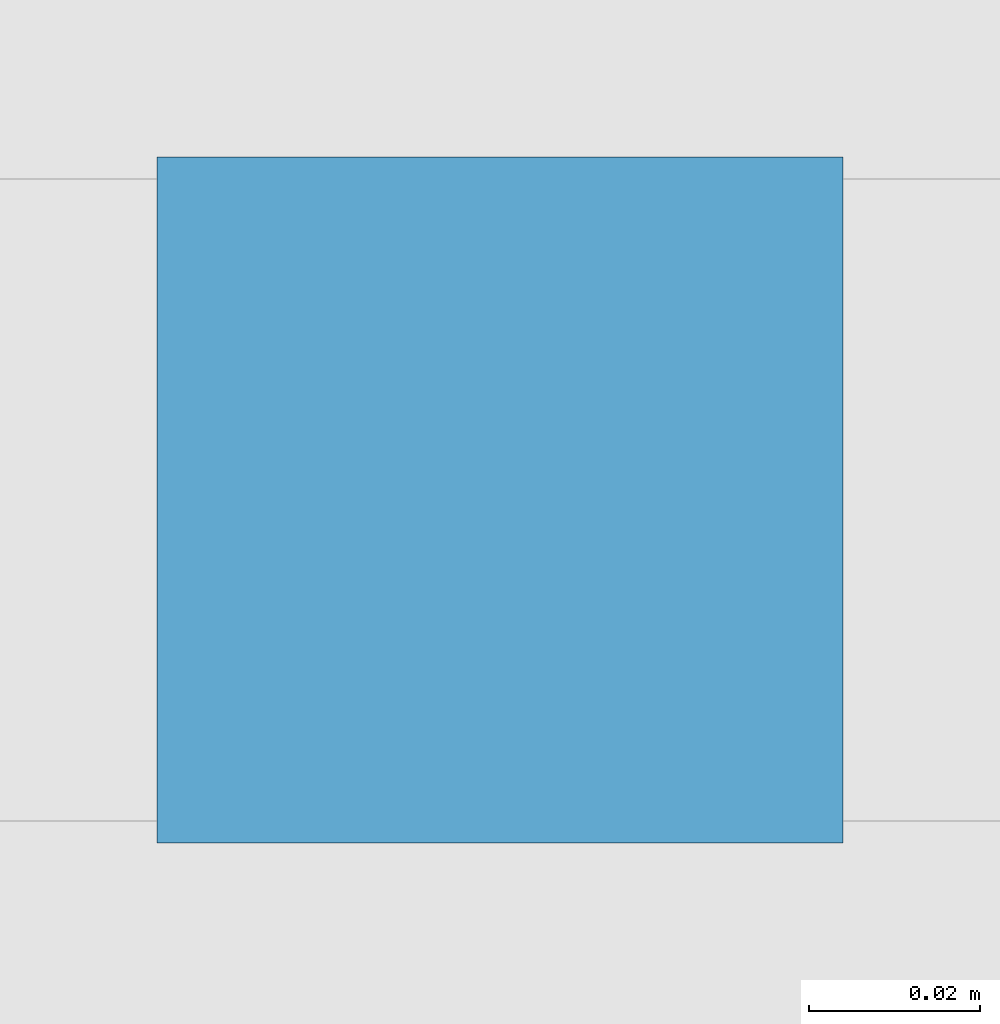
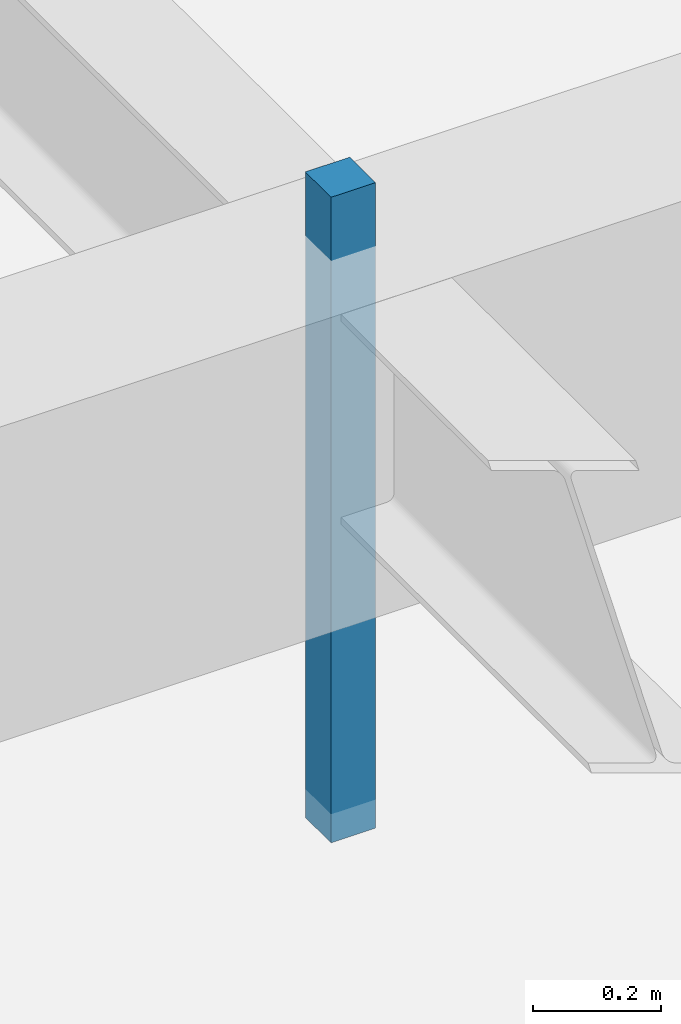
# One storey, part 116 of 126: 1 discrete accessory.
"""IFC4 building model written with IfcOpenShell, lengths in metres."""

import ifcopenshell
import ifcopenshell.guid

model = None  # the IFC model being written
_history = None  # IfcOwnerHistory: only IFC2X3 demands one
_inside = {}  # id of a spatial element -> (the spatial element, [elements in it])
_under = {}  # id of a project, library or spatial element -> (it, [spatial elements below it])
_declared = {}  # id of a project -> (the project, [libraries it declares])
_typed = {}  # id of a type object -> (the type object, [elements of that type])
_made_of = {}  # id of a material, layer set ... -> (it, [elements and type objects made of it])


def new_model(schema):
    """Start an empty IFC model of exactly this schema.

    Asked for "IFC4X3", IfcOpenShell would pick the latest addendum, in which some entities
    have other attributes; the version numbers below select the first issue.
    IFC2X3 requires an IfcOwnerHistory on every rooted entity: one is made here for all.
    """
    global model, _history
    if schema == "IFC4X3":
        model = ifcopenshell.file(schema_version=(4, 3, 0, 0))
    else:
        model = ifcopenshell.file(schema=schema)
    _inside.clear()
    _under.clear()
    _declared.clear()
    _typed.clear()
    _made_of.clear()
    _history = None
    if model.schema == "IFC2X3":
        org = make("IfcOrganization", Name="unknown")
        user = make(
            "IfcPersonAndOrganization",
            ThePerson=make("IfcPerson", FamilyName="unknown"),
            TheOrganization=org,
        )
        app = make(
            "IfcApplication",
            ApplicationDeveloper=org,
            Version="unknown",
            ApplicationFullName="unknown",
            ApplicationIdentifier="unknown",
        )
        _history = make(
            "IfcOwnerHistory",
            OwningUser=user,
            OwningApplication=app,
            ChangeAction="ADDED",
            CreationDate=0,
        )
    return model


def make(cls, **values):
    """One entity of the class cls with the attributes given. An attribute that is None is left unset."""
    return model.create_entity(
        cls, **{name: value for name, value in values.items() if value is not None}
    )


def rooted(cls, **values):
    """An entity with a GlobalId (a new one), such as an element, a storey or a relation."""
    return make(cls, GlobalId=ifcopenshell.guid.new(), OwnerHistory=_history, **values)


def si_unit(unit_type, name, prefix=None):
    """IfcSIUnit, for example si_unit("LENGTHUNIT", "METRE", prefix="MILLI")."""
    return make("IfcSIUnit", UnitType=unit_type, Prefix=prefix, Name=name)


def assignment(units):
    """IfcUnitAssignment: the units of a project."""
    return None if units is None else make("IfcUnitAssignment", Units=units)


def point(xyz):
    """IfcCartesianPoint."""
    return None if xyz is None else make("IfcCartesianPoint", Coordinates=xyz)


def direction(xyz):
    """IfcDirection."""
    return None if xyz is None else make("IfcDirection", DirectionRatios=xyz)


def frame(location, z_axis=None, x_axis=None):
    """IfcAxis2Placement3D, a coordinate frame: its origin and axes. An axis left out is left unset."""
    return make(
        "IfcAxis2Placement3D",
        Location=point(location),
        Axis=direction(z_axis),
        RefDirection=direction(x_axis),
    )


def frame_2d(location, x_axis=None):
    """IfcAxis2Placement2D, a coordinate frame in the plane: its origin and x axis."""
    return make(
        "IfcAxis2Placement2D", Location=point(location), RefDirection=direction(x_axis)
    )


def origin():
    """The frame at (0, 0, 0) with its axes left unset."""
    return frame((0.0, 0.0, 0.0))


def origin_2d():
    """The frame at (0, 0) in the plane with its x axis left unset."""
    return frame_2d((0.0, 0.0))


def place(relative_to, where):
    """IfcLocalPlacement: puts the frame where relative to a parent placement (None: the world)."""
    return make(
        "IfcLocalPlacement", PlacementRelTo=relative_to, RelativePlacement=where
    )


def context(
    kind, dimensions, precision=None, world=None, true_north=None, identifier=None
):
    """IfcGeometricRepresentationContext, for example the 3D "Model" context."""
    return make(
        "IfcGeometricRepresentationContext",
        ContextIdentifier=identifier,
        ContextType=kind,
        CoordinateSpaceDimension=dimensions,
        Precision=precision,
        WorldCoordinateSystem=world,
        TrueNorth=true_north,
    )


def subcontext(parent, identifier, kind, view, scale=None):
    """IfcGeometricRepresentationSubContext, for example "Body" below "Model"."""
    return make(
        "IfcGeometricRepresentationSubContext",
        ContextIdentifier=identifier,
        ContextType=kind,
        ParentContext=parent,
        TargetScale=scale,
        TargetView=view,
    )


def project(units=None, contexts=None):
    """IfcProject with its units and contexts."""
    return rooted(
        "IfcProject",
        Name="project",
        RepresentationContexts=contexts,
        UnitsInContext=assignment(units),
    )


def spatial(cls, under=None, at=None, **own):
    """A site, building, storey or space (cls), placed at a placement, below another one or the project."""
    s = rooted(cls, ObjectPlacement=at, **own)
    if under is not None:
        _under.setdefault(under.id(), (under, []))[1].append(s)
    return s


def profile(cls, at=None, kind="AREA", **sizes):
    """A parametric profile (cls). Its sizes go by their IFC names, for example OverallWidth=200.0."""
    return make(cls, ProfileType=kind, Position=at, **sizes)


def rectangle(**sizes):
    """IfcRectangleProfileDef."""
    return profile("IfcRectangleProfileDef", **sizes)


def extrude(swept, where, along, depth):
    """IfcExtrudedAreaSolid: the profile swept, set in the frame where, extruded along a direction by depth."""
    return make(
        "IfcExtrudedAreaSolid",
        SweptArea=swept,
        Position=where,
        ExtrudedDirection=direction(along),
        Depth=depth,
    )


def shape(context_of_items, identifier, shape_type, items):
    """IfcShapeRepresentation: the items that make up one representation, for example the "Body"."""
    return make(
        "IfcShapeRepresentation",
        ContextOfItems=context_of_items,
        RepresentationIdentifier=identifier,
        RepresentationType=shape_type,
        Items=items,
    )


def material(Name=None, Category=None):
    """IfcMaterial."""
    return make("IfcMaterial", Name=Name, Category=Category)


def layer(
    of_material, thickness, ventilated=None, Name=None, Category=None, Priority=None
):
    """IfcMaterialLayer: one layer of a wall or slab, of a material (None: an air gap)."""
    return make(
        "IfcMaterialLayer",
        Material=of_material,
        LayerThickness=thickness,
        IsVentilated=ventilated,
        Name=Name,
        Category=Category,
        Priority=Priority,
    )


def layer_set(layers, Name=None):
    """IfcMaterialLayerSet."""
    return make("IfcMaterialLayerSet", MaterialLayers=layers, LayerSetName=Name)


def made_of(thing, what):
    """Note that an element or type object is made of a material, layer set ...; save() writes the relation."""
    if what is not None:
        _made_of.setdefault(what.id(), (what, []))[1].append(thing)
    return thing


def type_object(cls, material=None, **own):
    """A type object (cls), such as IfcWallType, which elements share."""
    return made_of(rooted(cls, **own), material)


def element(
    cls,
    number,
    at=None,
    inside=None,
    cuts=None,
    type_object=None,
    material=None,
    context=None,
    identifier="Body",
    shape_type=None,
    held_by="IfcProductDefinitionShape",
    body=None,
    shapes=None,
    **own,
):
    """One element of the class cls, such as IfcWall. Its Tag is "e" and its number.

    at: its placement. inside: the storey or other place that contains it. cuts: it is an
    opening in that element (IfcRelVoidsElement). A single representation is given by context,
    identifier, shape_type and body (its items); several are given by shapes. held_by: the class
    of the entity that holds the representations. save() writes the other relations.
    """
    e = rooted(cls, Tag="e%d" % number, ObjectPlacement=at, **own)
    if body is not None:
        shapes = [shape(context, identifier, shape_type, body)]
    if shapes is not None:
        e.Representation = make(held_by, Representations=shapes)
    if inside is not None:
        _inside.setdefault(inside.id(), (inside, []))[1].append(e)
    if cuts is not None:
        rooted(
            "IfcRelVoidsElement", RelatingBuildingElement=cuts, RelatedOpeningElement=e
        )
    if type_object is not None:
        _typed.setdefault(type_object.id(), (type_object, []))[1].append(e)
    return made_of(e, material)


def aggregate(whole, parts):
    """IfcRelAggregates: a whole, such as a stair, and the parts it consists of."""
    return rooted("IfcRelAggregates", RelatingObject=whole, RelatedObjects=parts)


def save(model, path):
    """Write the relations noted so far, then the file.

    IfcRelAggregates (storeys below a building ...), IfcRelContainedInSpatialStructure (elements
    in a storey), IfcRelDefinesByType, IfcRelAssociatesMaterial and IfcRelDeclares: one each for
    every whole, place, type object, material and project.
    """
    for whole, parts in _under.values():
        aggregate(whole, parts)
    for where, things in _inside.values():
        rooted(
            "IfcRelContainedInSpatialStructure",
            RelatedElements=things,
            RelatingStructure=where,
        )
    for kind, things in _typed.values():
        rooted("IfcRelDefinesByType", RelatedObjects=things, RelatingType=kind)
    for what, things in _made_of.values():
        rooted("IfcRelAssociatesMaterial", RelatedObjects=things, RelatingMaterial=what)
    for by, libraries in _declared.values():
        rooted("IfcRelDeclares", RelatingContext=by, RelatedDefinitions=libraries)
    model.write(path)


model = new_model("IFC4")

# Units and contexts
model_context = context("Model", 3, precision=1e-05, world=origin(), true_north=direction((0.0, 1.0)))
body_context = subcontext(model_context, "Body", "Model", "MODEL_VIEW")
ifc_project = project(units=[si_unit("LENGTHUNIT", "METRE"), si_unit("AREAUNIT", "SQUARE_METRE"), si_unit("VOLUMEUNIT", "CUBIC_METRE"), si_unit("PLANEANGLEUNIT", "RADIAN"), si_unit("MASSUNIT", "GRAM", prefix="KILO")], contexts=[model_context])

# Site, building, storey
site_placement = place(None, origin())
site = spatial("IfcSite", under=ifc_project, at=site_placement, CompositionType="ELEMENT")
building_placement = place(site_placement, origin())
building = spatial("IfcBuilding", under=site, at=building_placement, Name="Varnabhumi Central Station", CompositionType="ELEMENT")
storey_placement = place(building_placement, frame((0.0, 0.0, 16.199951171875)))
storey = spatial("IfcBuildingStorey", under=building, at=storey_placement, Name="L03", CompositionType="ELEMENT", Elevation=16.199951171875)

# Discrete accessory
ifc_material = material(Name="Structural steel E350", Category="steel")
ifc_layer = layer(ifc_material, 0.159912109375, Name="Structural steel E350", Category="steel")
ifc_layer_set = layer_set([ifc_layer], Name="Structural steel E350")
discrete_accessory_type = type_object("IfcDiscreteAccessoryType", Name="ACC-SHADE-BRKT", PredefinedType="BRACKET", material=ifc_layer_set)
discrete_accessory_placement = place(storey_placement, frame((132.0, 89.0, 2.840087890625), z_axis=(0.0, 0.0, 1.0), x_axis=(1.0, 0.0, 0.0)))
element("IfcDiscreteAccessory", 1, at=discrete_accessory_placement, inside=storey, type_object=discrete_accessory_type, Name="East Terrace Tea Lounge Ceiling Hanger", PredefinedType="BRACKET", context=body_context, shape_type="SweptSolid", body=[
    extrude(rectangle(XDim=0.080078125, YDim=0.080078125, at=origin_2d()), origin(), (0.0, 0.0, 1.0), 1.22998046875),
])

save(model, "model.ifc")
